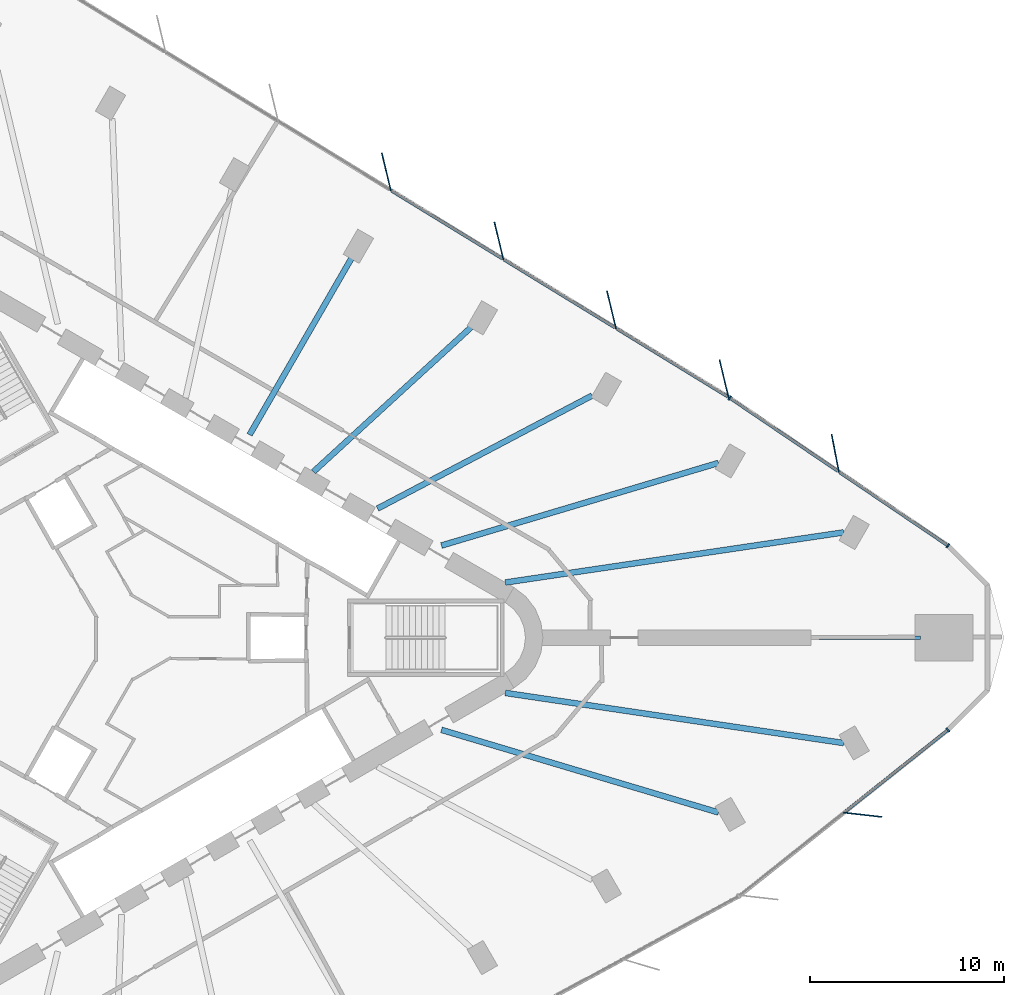
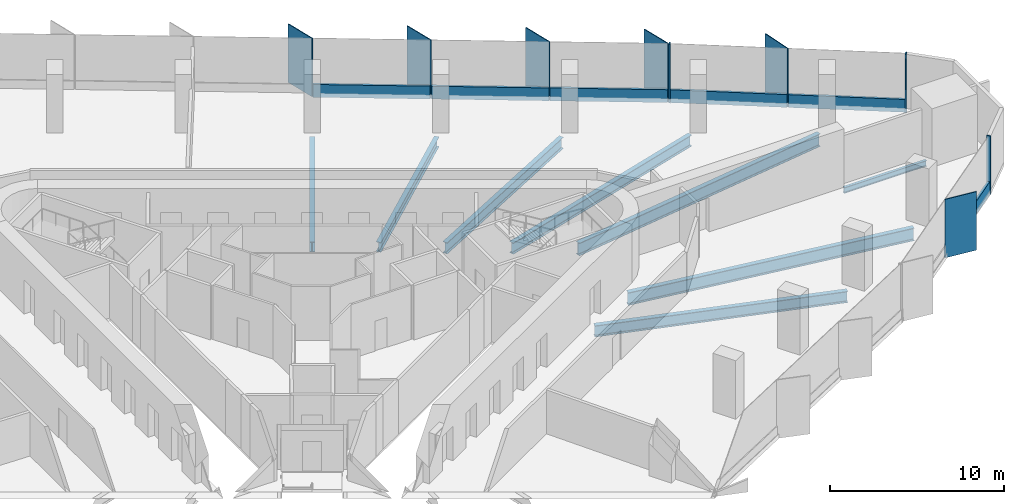
# One storey, part 5 of 13: 15 members, 8 beams, 3 elements without a shape of their own.
"""IFC4 building model written with IfcOpenShell, lengths in metres."""

from ifc_helpers import new_model, si_unit, direction, frame, origin, origin_2d, place, context, subcontext, project, spatial, rectangle, i_section, extrude, material, material_profile, profile_set, type_object, element, aggregate, save


model = new_model("IFC4")

# Units and contexts
model_context = context("Model", 3, precision=1e-05, world=origin(), true_north=direction((0.0, 1.0)))
body_context = subcontext(model_context, "Body", "Model", "MODEL_VIEW")
ifc_project = project(units=[si_unit("LENGTHUNIT", "METRE"), si_unit("AREAUNIT", "SQUARE_METRE"), si_unit("VOLUMEUNIT", "CUBIC_METRE"), si_unit("PLANEANGLEUNIT", "RADIAN"), si_unit("MASSUNIT", "GRAM", prefix="KILO")], contexts=[model_context])

# Site, building, storey
site_placement = place(None, origin())
site = spatial("IfcSite", under=ifc_project, at=site_placement, CompositionType="ELEMENT")
building_placement = place(site_placement, origin())
building = spatial("IfcBuilding", under=site, at=building_placement, Name="Tanit Gate Tower", CompositionType="ELEMENT")
storey_placement = place(building_placement, frame((0.0, 0.0, 57.800048828125)))
storey = spatial("IfcBuildingStorey", under=building, at=storey_placement, Name="L10", CompositionType="ELEMENT", Elevation=57.800048828125)

# Curtain wall, member
ifc_material_1 = material(Name="Aluminium bronze anodised and glass", Category="aluminium")
curtain_wall_type = type_object("IfcCurtainWallType", Name="Curtain wall typical low", PredefinedType="NOTDEFINED", material=ifc_material_1)
curtain_wall_1_placement = place(storey_placement, origin())
curtain_wall_1 = element("IfcCurtainWall", 1, at=curtain_wall_1_placement, inside=storey, type_object=curtain_wall_type, Name="Curtain wall L10 NE1", PredefinedType="NOTDEFINED")
ifc_material_2 = material(Name="Aluminium bronze anodised", Category="aluminium")
ifc_material_profile_1 = material_profile(ifc_material_2, rectangle(XDim=2.0, YDim=0.055908203125, at=origin_2d()), Name="56x2000 bronze fin mullion")
ifc_profile_set_1 = profile_set([ifc_material_profile_1], Name="Aluminium bronze anodised")
member_type_1 = type_object("IfcMemberType", Name="FIN MULLION 56x2000 bronze", PredefinedType="MULLION", material=ifc_profile_set_1)
member_1_placement = place(storey_placement, frame((36.299072265625, 9.5302734375, -0.300048828125), z_axis=(0.0, 0.0, 1.0), x_axis=(0.189172819388, -0.981943809189, 0.0)))
member_1 = element("IfcMember", 2, at=member_1_placement, type_object=member_type_1, Name="Fin mullion L10 NE1.2", PredefinedType="MULLION", context=body_context, shape_type="SweptSolid", body=[
    extrude(rectangle(XDim=2.0, YDim=0.055908203125, at=origin_2d()), origin(), (0.0, 0.0, 1.0), 4.10009765625),
])

# Curtain wall, members
curtain_wall_2_placement = place(storey_placement, origin())
curtain_wall_2 = element("IfcCurtainWall", 3, at=curtain_wall_2_placement, inside=storey, type_object=curtain_wall_type, Name="Curtain wall L10 NE2", PredefinedType="NOTDEFINED")
member_2_placement = place(storey_placement, frame((30.55615234375, 13.376708984375, -0.300048828125), z_axis=(0.0, 0.0, 1.0), x_axis=(0.233691416098, -0.972310815553, 0.0)))
member_2 = element("IfcMember", 4, at=member_2_placement, type_object=member_type_1, Name="Fin mullion L10 NE2.1", PredefinedType="MULLION", context=body_context, shape_type="SweptSolid", body=[
    extrude(rectangle(XDim=2.0, YDim=0.055908203125, at=origin_2d()), origin(), (0.0, 0.0, 1.0), 4.10009765625),
])
member_3_placement = place(storey_placement, frame((24.7421875, 16.9375, -0.300048828125), z_axis=(0.0, 0.0, 1.0), x_axis=(0.233691416098, -0.972310815553, 0.0)))
member_3 = element("IfcMember", 5, at=member_3_placement, type_object=member_type_1, Name="Fin mullion L10 NE2.2", PredefinedType="MULLION", context=body_context, shape_type="SweptSolid", body=[
    extrude(rectangle(XDim=2.0, YDim=0.055908203125, at=origin_2d()), origin(), (0.0, 0.0, 1.0), 4.10009765625),
])
member_4_placement = place(storey_placement, frame((18.92822265625, 20.498291015625, -0.300048828125), z_axis=(0.0, 0.0, 1.0), x_axis=(0.233691416098, -0.972310815553, 0.0)))
member_4 = element("IfcMember", 6, at=member_4_placement, type_object=member_type_1, Name="Fin mullion L10 NE2.3", PredefinedType="MULLION", context=body_context, shape_type="SweptSolid", body=[
    extrude(rectangle(XDim=2.0, YDim=0.055908203125, at=origin_2d()), origin(), (0.0, 0.0, 1.0), 4.10009765625),
])
member_5_placement = place(storey_placement, frame((13.1142578125, 24.05908203125, -0.300048828125), z_axis=(0.0, 0.0, 1.0), x_axis=(0.233691416098, -0.972310815553, 0.0)))
member_5 = element("IfcMember", 7, at=member_5_placement, type_object=member_type_1, Name="Fin mullion L10 NE2.4", PredefinedType="MULLION", context=body_context, shape_type="SweptSolid", body=[
    extrude(rectangle(XDim=2.0, YDim=0.055908203125, at=origin_2d()), origin(), (0.0, 0.0, 1.0), 4.10009765625),
])

# Curtain wall, member
curtain_wall_3_placement = place(storey_placement, origin())
curtain_wall_3 = element("IfcCurtainWall", 8, at=curtain_wall_3_placement, inside=storey, type_object=curtain_wall_type, Name="Curtain wall L10 SE3", PredefinedType="NOTDEFINED")
member_6_placement = place(storey_placement, frame((37.71826171875, -9.143310546875, -0.300048828125), z_axis=(0.0, 0.0, 1.0), x_axis=(-0.993566182952, 0.113252991549, 0.0)))
member_6 = element("IfcMember", 9, at=member_6_placement, type_object=member_type_1, Name="Fin mullion L10 SE3.2", PredefinedType="MULLION", context=body_context, shape_type="SweptSolid", body=[
    extrude(rectangle(XDim=2.0, YDim=0.055908203125, at=origin_2d()), origin(), (0.0, 0.0, 1.0), 4.10009765625),
])

# Member
ifc_material_3 = material(Name="Aluminium bronze anodised", Category="aluminium")
ifc_material_profile_2 = material_profile(ifc_material_3, rectangle(XDim=0.239990234375, YDim=0.080078125, at=origin_2d()), Name="80x240 bronze mullion")
ifc_profile_set_2 = profile_set([ifc_material_profile_2], Name="Aluminium bronze anodised")
member_type_2 = type_object("IfcMemberType", Name="Mullion 80x240 typical low", PredefinedType="MULLION", material=ifc_profile_set_2)
member_7_placement = place(storey_placement, frame((42.115966796875, 4.758056640625, -0.300048828125), z_axis=(0.0, 0.0, 1.0), x_axis=(-0.560573742816, -0.828104509627, 0.0)))
member_7 = element("IfcMember", 10, at=member_7_placement, type_object=member_type_2, Name="Mullion L10 NE1.1", PredefinedType="MULLION", context=body_context, shape_type="SweptSolid", body=[
    extrude(rectangle(XDim=0.239990234375, YDim=0.080078125, at=origin_2d()), origin(), (0.0, 0.0, 1.0), 4.10009765625),
])

member_8_placement = place(storey_placement, frame((30.8515625, 12.38330078125, -0.300048828125), z_axis=(0.0, 0.0, 1.0), x_axis=(-0.560573742816, -0.828104509627, 0.0)))
member_8 = element("IfcMember", 11, at=member_8_placement, type_object=member_type_2, Name="Mullion L10 NE1.3", PredefinedType="MULLION", context=body_context, shape_type="SweptSolid", body=[
    extrude(rectangle(XDim=0.239990234375, YDim=0.080078125, at=origin_2d()), origin(), (0.0, 0.0, 1.0), 4.10009765625),
])

member_9_placement = place(storey_placement, frame((42.114501953125, -4.763671875, -0.300048828125), z_axis=(0.0, 0.0, 1.0), x_axis=(-0.622475427209, 0.782639343837, 0.0)))
member_9 = element("IfcMember", 12, at=member_9_placement, type_object=member_type_2, Name="Mullion L10 SE3.3", PredefinedType="MULLION", context=body_context, shape_type="SweptSolid", body=[
    extrude(rectangle(XDim=0.239990234375, YDim=0.080078125, at=origin_2d()), origin(), (0.0, 0.0, 1.0), 4.10009765625),
])

# Beams
ifc_material_4 = material(Name="Steel S355", Category="steel")
ifc_material_profile_3 = material_profile(ifc_material_4, i_section(OverallWidth=0.300048828125, OverallDepth=0.68994140625, WebThickness=0.014404296875, FlangeThickness=0.027099609375, FilletRadius=0.027099609375, at=origin_2d()), Name="HEA 700")
ifc_profile_set_3 = profile_set([ifc_material_profile_3], Name="Steel S355")
beam_type_1 = type_object("IfcBeamType", Name="RADIAL GIRDER HEA 700 S355", PredefinedType="BEAM", material=ifc_profile_set_3)
beam_1_placement = place(storey_placement, frame((17.548095703125, 16.084228515625, -0.64501953125), z_axis=(-0.737176932587, -0.675699763254, 0.0), x_axis=(0.675699763254, -0.737176932587, 0.0)))
element("IfcBeam", 13, at=beam_1_placement, inside=storey, type_object=beam_type_1, Name="RADIAL GIRDER", PredefinedType="BEAM", context=body_context, shape_type="SweptSolid", body=[
    extrude(i_section(OverallWidth=0.300048828125, OverallDepth=0.68994140625, WebThickness=0.014404296875, FlangeThickness=0.027099609375, FilletRadius=0.027099609375, at=origin_2d()), origin(), (0.0, 0.0, 1.0), 11.115478515625),
])
beam_2_placement = place(storey_placement, frame((11.351806640625, 19.661865234375, -0.64501953125), z_axis=(-0.500002863238, -0.866023750687, 0.0), x_axis=(0.866023750687, -0.500002863238, 0.0)))
element("IfcBeam", 14, at=beam_2_placement, inside=storey, type_object=beam_type_1, Name="RADIAL GIRDER", PredefinedType="BEAM", context=body_context, shape_type="SweptSolid", body=[
    extrude(i_section(OverallWidth=0.300048828125, OverallDepth=0.68994140625, WebThickness=0.014404296875, FlangeThickness=0.027099609375, FilletRadius=0.027099609375, at=origin_2d()), origin(), (0.0, 0.0, 1.0), 10.6015625),
])
ifc_material_5 = material(Name="Steel S355", Category="steel")
ifc_material_profile_4 = material_profile(ifc_material_5, i_section(OverallWidth=0.300048828125, OverallDepth=0.7900390625, WebThickness=0.014892578125, FlangeThickness=0.028076171875, FilletRadius=0.030029296875, at=origin_2d()), Name="HEA 800")
ifc_profile_set_4 = profile_set([ifc_material_profile_4], Name="Steel S355")
beam_type_2 = type_object("IfcBeamType", Name="RADIAL GIRDER HEA 800 S355", PredefinedType="BEAM", material=ifc_profile_set_4)
for number, where, z_axis, x_axis, name in (
    (15, (30.267578125, -9.026611328125, -0.695068359375), (-0.958292632116, 0.285788787801, 0.0), (-0.285788787801, -0.958292632116, 0.0), "RADIAL GIRDER"),
    (16, (30.267578125, 9.026611328125, -0.695068359375), (-0.958292632116, -0.285788787801, 0.0), (0.285788787801, -0.958292632116, 0.0), "RADIAL GIRDER"),
):
    element("IfcBeam", number, at=place(storey_placement, frame(where, z_axis=z_axis, x_axis=x_axis)), inside=storey, type_object=beam_type_2, Name=name, PredefinedType="BEAM", context=body_context, shape_type="SweptSolid", body=[
        extrude(i_section(OverallWidth=0.300048828125, OverallDepth=0.7900390625, WebThickness=0.014892578125, FlangeThickness=0.028076171875, FilletRadius=0.030029296875, at=origin_2d()), origin(), (0.0, 0.0, 1.0), 14.93017578125),
    ])
beam_3_placement = place(storey_placement, frame((23.74462890625, 12.506591796875, -0.695068359375), z_axis=(-0.884770690276, -0.466026636179, 0.0), x_axis=(0.466026636179, -0.884770690276, 0.0)))
element("IfcBeam", 17, at=beam_3_placement, inside=storey, type_object=beam_type_2, Name="RADIAL GIRDER", PredefinedType="BEAM", context=body_context, shape_type="SweptSolid", body=[
    extrude(i_section(OverallWidth=0.300048828125, OverallDepth=0.7900390625, WebThickness=0.014892578125, FlangeThickness=0.028076171875, FilletRadius=0.030029296875, at=origin_2d()), origin(), (0.0, 0.0, 1.0), 12.53173828125),
])
ifc_material_6 = material(Name="Steel S355", Category="steel")
ifc_material_profile_5 = material_profile(ifc_material_6, i_section(OverallWidth=0.300048828125, OverallDepth=0.889892578125, WebThickness=0.01611328125, FlangeThickness=0.030029296875, FilletRadius=0.030029296875, at=origin_2d()), Name="HEA 900")
ifc_profile_set_5 = profile_set([ifc_material_profile_5], Name="Steel S355")
beam_type_3 = type_object("IfcBeamType", Name="RADIAL GIRDER HEA 900 S355", PredefinedType="BEAM", material=ifc_profile_set_5)
for number, where, z_axis, x_axis, name in (
    (18, (36.731689453125, -5.439697265625, -0.7451171875), (-0.98921177448, 0.146492543254, 0.0), (-0.146492543254, -0.98921177448, 0.0), "RADIAL GIRDER"),
    (19, (36.731689453125, 5.439697265625, -0.7451171875), (-0.98921177448, -0.146492543254, 0.0), (0.146492543254, -0.98921177448, 0.0), "RADIAL GIRDER"),
):
    element("IfcBeam", number, at=place(storey_placement, frame(where, z_axis=z_axis, x_axis=x_axis)), inside=storey, type_object=beam_type_3, Name=name, PredefinedType="BEAM", context=body_context, shape_type="SweptSolid", body=[
        extrude(i_section(OverallWidth=0.300048828125, OverallDepth=0.889892578125, WebThickness=0.01611328125, FlangeThickness=0.030029296875, FilletRadius=0.030029296875, at=origin_2d()), origin(), (0.0, 0.0, 1.0), 17.658935546875),
    ])
ifc_material_7 = material(Name="Steel S355", Category="steel")
ifc_material_profile_6 = material_profile(ifc_material_7, i_section(OverallWidth=0.179931640625, OverallDepth=0.39990234375, WebThickness=0.008544921875, FlangeThickness=0.013427734375, FilletRadius=0.02099609375, at=origin_2d()), Name="IPE 400")
ifc_profile_set_6 = profile_set([ifc_material_profile_6], Name="Steel S355")
beam_type_4 = type_object("IfcBeamType", Name="RADIAL GIRDER IPE 400 S355", PredefinedType="BEAM", material=ifc_profile_set_6)
beam_4_placement = place(storey_placement, frame((40.711181640625, 0.0, -0.5), z_axis=(-1.0, 0.0, 0.0), x_axis=(0.0, -1.0, 0.0)))
element("IfcBeam", 20, at=beam_4_placement, inside=storey, type_object=beam_type_4, Name="RADIAL GIRDER", PredefinedType="BEAM", context=body_context, shape_type="SweptSolid", body=[
    extrude(i_section(OverallWidth=0.179931640625, OverallDepth=0.39990234375, WebThickness=0.008544921875, FlangeThickness=0.013427734375, FilletRadius=0.02099609375, at=origin_2d()), origin(), (0.0, 0.0, 1.0), 5.463134765625),
])

# Member
ifc_material_8 = material(Name="Aluminium bronze anodised", Category="aluminium")
ifc_material_profile_7 = material_profile(ifc_material_8, rectangle(XDim=0.159912109375, YDim=0.89990234375, at=origin_2d()), Name="160x900 bronze transom")
ifc_profile_set_7 = profile_set([ifc_material_profile_7], Name="Aluminium bronze anodised")
member_type_3 = type_object("IfcMemberType", Name="Transom 160x900 typical low", PredefinedType="USERDEFINED", material=ifc_profile_set_7)
member_10_placement = place(storey_placement, frame((42.0830078125, 4.7802734375, 0.14990234375), z_axis=(-0.828100911484, 0.560579058116, 0.0), x_axis=(-0.560579058116, -0.828100911484, 0.0)))
member_10 = element("IfcMember", 21, at=member_10_placement, type_object=member_type_3, Name="Transom L10 NE1.1", ObjectType="TRANSOM", PredefinedType="USERDEFINED", context=body_context, shape_type="SweptSolid", body=[
    extrude(rectangle(XDim=0.159912109375, YDim=0.89990234375, at=origin_2d()), origin(), (0.0, 0.0, 1.0), 6.72119140625),
])

member_11_placement = place(storey_placement, frame((36.45068359375, 8.593017578125, 0.14990234375), z_axis=(-0.828100911484, 0.560579058116, 0.0), x_axis=(-0.560579058116, -0.828100911484, 0.0)))
member_11 = element("IfcMember", 22, at=member_11_placement, type_object=member_type_3, Name="Transom L10 NE1.2", ObjectType="TRANSOM", PredefinedType="USERDEFINED", context=body_context, shape_type="SweptSolid", body=[
    extrude(rectangle(XDim=0.159912109375, YDim=0.89990234375, at=origin_2d()), origin(), (0.0, 0.0, 1.0), 6.72119140625),
])

aggregate(curtain_wall_1, [member_7, member_1, member_8, member_10, member_11])

member_12_placement = place(storey_placement, frame((30.750244140625, 12.447509765625, 0.14990234375), z_axis=(-0.852779833847, 0.52227057641, 0.0), x_axis=(-0.52227057641, -0.852779833847, 0.0)))
member_12 = element("IfcMember", 23, at=member_12_placement, type_object=member_type_3, Name="Transom L10 NE2.1", ObjectType="TRANSOM", PredefinedType="USERDEFINED", context=body_context, shape_type="SweptSolid", body=[
    extrude(rectangle(XDim=0.159912109375, YDim=0.89990234375, at=origin_2d()), origin(), (0.0, 0.0, 1.0), 6.737548828125),
])

member_13_placement = place(storey_placement, frame((24.936279296875, 16.008056640625, 0.14990234375), z_axis=(-0.852763694856, 0.522296927749, 0.0), x_axis=(-0.522296927749, -0.852763694856, 0.0)))
member_13 = element("IfcMember", 24, at=member_13_placement, type_object=member_type_3, Name="Transom L10 NE2.2", ObjectType="TRANSOM", PredefinedType="USERDEFINED", context=body_context, shape_type="SweptSolid", body=[
    extrude(rectangle(XDim=0.159912109375, YDim=0.89990234375, at=origin_2d()), origin(), (0.0, 0.0, 1.0), 6.737548828125),
])

member_14_placement = place(storey_placement, frame((19.12255859375, 19.56884765625, 0.14990234375), z_axis=(-0.852773579198, 0.522280789061, 0.0), x_axis=(-0.522280789061, -0.852773579198, 0.0)))
member_14 = element("IfcMember", 25, at=member_14_placement, type_object=member_type_3, Name="Transom L10 NE2.3", ObjectType="TRANSOM", PredefinedType="USERDEFINED", context=body_context, shape_type="SweptSolid", body=[
    extrude(rectangle(XDim=0.159912109375, YDim=0.89990234375, at=origin_2d()), origin(), (0.0, 0.0, 1.0), 6.73779296875),
])

aggregate(curtain_wall_2, [member_2, member_3, member_4, member_5, member_12, member_13, member_14])

member_15_placement = place(storey_placement, frame((36.778564453125, -9.0078125, 0.14990234375), z_axis=(0.782629768597, 0.622487465983, 0.0), x_axis=(-0.622487465983, 0.782629768597, 0.0)))
member_15 = element("IfcMember", 26, at=member_15_placement, type_object=member_type_3, Name="Transom L10 SE3.2", ObjectType="TRANSOM", PredefinedType="USERDEFINED", context=body_context, shape_type="SweptSolid", body=[
    extrude(rectangle(XDim=0.159912109375, YDim=0.89990234375, at=origin_2d()), origin(), (0.0, 0.0, 1.0), 6.778076171875),
])

aggregate(curtain_wall_3, [member_6, member_9, member_15])

save(model, "model.ifc")
